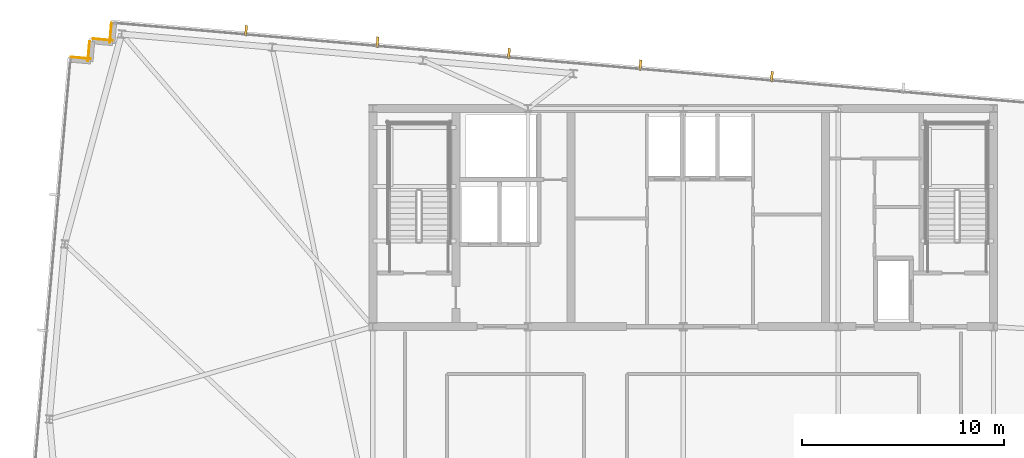
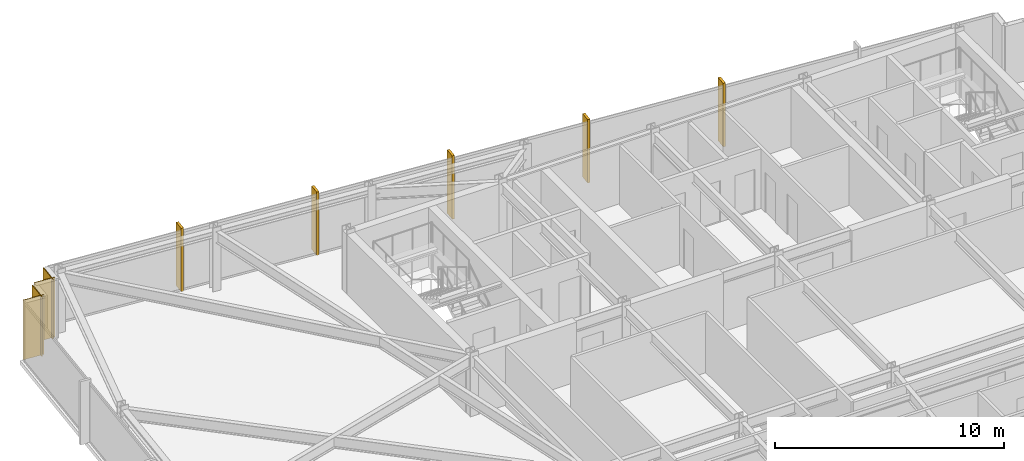
# One storey, part 32 of 32: 5 shading devices, 4 coverings.
"""IFC4 building model written with IfcOpenShell, lengths in metres."""

import ifcopenshell
import ifcopenshell.guid

model = None  # the IFC model being written
_history = None  # IfcOwnerHistory: only IFC2X3 demands one
_inside = {}  # id of a spatial element -> (the spatial element, [elements in it])
_under = {}  # id of a project, library or spatial element -> (it, [spatial elements below it])
_declared = {}  # id of a project -> (the project, [libraries it declares])
_typed = {}  # id of a type object -> (the type object, [elements of that type])
_made_of = {}  # id of a material, layer set ... -> (it, [elements and type objects made of it])


def new_model(schema):
    """Start an empty IFC model of exactly this schema.

    Asked for "IFC4X3", IfcOpenShell would pick the latest addendum, in which some entities
    have other attributes; the version numbers below select the first issue.
    IFC2X3 requires an IfcOwnerHistory on every rooted entity: one is made here for all.
    """
    global model, _history
    if schema == "IFC4X3":
        model = ifcopenshell.file(schema_version=(4, 3, 0, 0))
    else:
        model = ifcopenshell.file(schema=schema)
    _inside.clear()
    _under.clear()
    _declared.clear()
    _typed.clear()
    _made_of.clear()
    _history = None
    if model.schema == "IFC2X3":
        org = make("IfcOrganization", Name="unknown")
        user = make(
            "IfcPersonAndOrganization",
            ThePerson=make("IfcPerson", FamilyName="unknown"),
            TheOrganization=org,
        )
        app = make(
            "IfcApplication",
            ApplicationDeveloper=org,
            Version="unknown",
            ApplicationFullName="unknown",
            ApplicationIdentifier="unknown",
        )
        _history = make(
            "IfcOwnerHistory",
            OwningUser=user,
            OwningApplication=app,
            ChangeAction="ADDED",
            CreationDate=0,
        )
    return model


def make(cls, **values):
    """One entity of the class cls with the attributes given. An attribute that is None is left unset."""
    return model.create_entity(
        cls, **{name: value for name, value in values.items() if value is not None}
    )


def rooted(cls, **values):
    """An entity with a GlobalId (a new one), such as an element, a storey or a relation."""
    return make(cls, GlobalId=ifcopenshell.guid.new(), OwnerHistory=_history, **values)


def si_unit(unit_type, name, prefix=None):
    """IfcSIUnit, for example si_unit("LENGTHUNIT", "METRE", prefix="MILLI")."""
    return make("IfcSIUnit", UnitType=unit_type, Prefix=prefix, Name=name)


def assignment(units):
    """IfcUnitAssignment: the units of a project."""
    return None if units is None else make("IfcUnitAssignment", Units=units)


def point(xyz):
    """IfcCartesianPoint."""
    return None if xyz is None else make("IfcCartesianPoint", Coordinates=xyz)


def direction(xyz):
    """IfcDirection."""
    return None if xyz is None else make("IfcDirection", DirectionRatios=xyz)


def frame(location, z_axis=None, x_axis=None):
    """IfcAxis2Placement3D, a coordinate frame: its origin and axes. An axis left out is left unset."""
    return make(
        "IfcAxis2Placement3D",
        Location=point(location),
        Axis=direction(z_axis),
        RefDirection=direction(x_axis),
    )


def frame_2d(location, x_axis=None):
    """IfcAxis2Placement2D, a coordinate frame in the plane: its origin and x axis."""
    return make(
        "IfcAxis2Placement2D", Location=point(location), RefDirection=direction(x_axis)
    )


def origin():
    """The frame at (0, 0, 0) with its axes left unset."""
    return frame((0.0, 0.0, 0.0))


def origin_2d():
    """The frame at (0, 0) in the plane with its x axis left unset."""
    return frame_2d((0.0, 0.0))


def place(relative_to, where):
    """IfcLocalPlacement: puts the frame where relative to a parent placement (None: the world)."""
    return make(
        "IfcLocalPlacement", PlacementRelTo=relative_to, RelativePlacement=where
    )


def context(
    kind, dimensions, precision=None, world=None, true_north=None, identifier=None
):
    """IfcGeometricRepresentationContext, for example the 3D "Model" context."""
    return make(
        "IfcGeometricRepresentationContext",
        ContextIdentifier=identifier,
        ContextType=kind,
        CoordinateSpaceDimension=dimensions,
        Precision=precision,
        WorldCoordinateSystem=world,
        TrueNorth=true_north,
    )


def subcontext(parent, identifier, kind, view, scale=None):
    """IfcGeometricRepresentationSubContext, for example "Body" below "Model"."""
    return make(
        "IfcGeometricRepresentationSubContext",
        ContextIdentifier=identifier,
        ContextType=kind,
        ParentContext=parent,
        TargetScale=scale,
        TargetView=view,
    )


def project(units=None, contexts=None):
    """IfcProject with its units and contexts."""
    return rooted(
        "IfcProject",
        Name="project",
        RepresentationContexts=contexts,
        UnitsInContext=assignment(units),
    )


def spatial(cls, under=None, at=None, **own):
    """A site, building, storey or space (cls), placed at a placement, below another one or the project."""
    s = rooted(cls, ObjectPlacement=at, **own)
    if under is not None:
        _under.setdefault(under.id(), (under, []))[1].append(s)
    return s


def profile(cls, at=None, kind="AREA", **sizes):
    """A parametric profile (cls). Its sizes go by their IFC names, for example OverallWidth=200.0."""
    return make(cls, ProfileType=kind, Position=at, **sizes)


def rectangle(**sizes):
    """IfcRectangleProfileDef."""
    return profile("IfcRectangleProfileDef", **sizes)


def extrude(swept, where, along, depth):
    """IfcExtrudedAreaSolid: the profile swept, set in the frame where, extruded along a direction by depth."""
    return make(
        "IfcExtrudedAreaSolid",
        SweptArea=swept,
        Position=where,
        ExtrudedDirection=direction(along),
        Depth=depth,
    )


def shape(context_of_items, identifier, shape_type, items):
    """IfcShapeRepresentation: the items that make up one representation, for example the "Body"."""
    return make(
        "IfcShapeRepresentation",
        ContextOfItems=context_of_items,
        RepresentationIdentifier=identifier,
        RepresentationType=shape_type,
        Items=items,
    )


def material(Name=None, Category=None):
    """IfcMaterial."""
    return make("IfcMaterial", Name=Name, Category=Category)


def layer(
    of_material, thickness, ventilated=None, Name=None, Category=None, Priority=None
):
    """IfcMaterialLayer: one layer of a wall or slab, of a material (None: an air gap)."""
    return make(
        "IfcMaterialLayer",
        Material=of_material,
        LayerThickness=thickness,
        IsVentilated=ventilated,
        Name=Name,
        Category=Category,
        Priority=Priority,
    )


def layer_set(layers, Name=None):
    """IfcMaterialLayerSet."""
    return make("IfcMaterialLayerSet", MaterialLayers=layers, LayerSetName=Name)


def made_of(thing, what):
    """Note that an element or type object is made of a material, layer set ...; save() writes the relation."""
    if what is not None:
        _made_of.setdefault(what.id(), (what, []))[1].append(thing)
    return thing


def type_object(cls, material=None, **own):
    """A type object (cls), such as IfcWallType, which elements share."""
    return made_of(rooted(cls, **own), material)


def element(
    cls,
    number,
    at=None,
    inside=None,
    cuts=None,
    type_object=None,
    material=None,
    context=None,
    identifier="Body",
    shape_type=None,
    held_by="IfcProductDefinitionShape",
    body=None,
    shapes=None,
    **own,
):
    """One element of the class cls, such as IfcWall. Its Tag is "e" and its number.

    at: its placement. inside: the storey or other place that contains it. cuts: it is an
    opening in that element (IfcRelVoidsElement). A single representation is given by context,
    identifier, shape_type and body (its items); several are given by shapes. held_by: the class
    of the entity that holds the representations. save() writes the other relations.
    """
    e = rooted(cls, Tag="e%d" % number, ObjectPlacement=at, **own)
    if body is not None:
        shapes = [shape(context, identifier, shape_type, body)]
    if shapes is not None:
        e.Representation = make(held_by, Representations=shapes)
    if inside is not None:
        _inside.setdefault(inside.id(), (inside, []))[1].append(e)
    if cuts is not None:
        rooted(
            "IfcRelVoidsElement", RelatingBuildingElement=cuts, RelatedOpeningElement=e
        )
    if type_object is not None:
        _typed.setdefault(type_object.id(), (type_object, []))[1].append(e)
    return made_of(e, material)


def aggregate(whole, parts):
    """IfcRelAggregates: a whole, such as a stair, and the parts it consists of."""
    return rooted("IfcRelAggregates", RelatingObject=whole, RelatedObjects=parts)


def save(model, path):
    """Write the relations noted so far, then the file.

    IfcRelAggregates (storeys below a building ...), IfcRelContainedInSpatialStructure (elements
    in a storey), IfcRelDefinesByType, IfcRelAssociatesMaterial and IfcRelDeclares: one each for
    every whole, place, type object, material and project.
    """
    for whole, parts in _under.values():
        aggregate(whole, parts)
    for where, things in _inside.values():
        rooted(
            "IfcRelContainedInSpatialStructure",
            RelatedElements=things,
            RelatingStructure=where,
        )
    for kind, things in _typed.values():
        rooted("IfcRelDefinesByType", RelatedObjects=things, RelatingType=kind)
    for what, things in _made_of.values():
        rooted("IfcRelAssociatesMaterial", RelatedObjects=things, RelatingMaterial=what)
    for by, libraries in _declared.values():
        rooted("IfcRelDeclares", RelatingContext=by, RelatedDefinitions=libraries)
    model.write(path)


model = new_model("IFC4")

# Units and contexts
model_context = context("Model", 3, precision=1e-05, world=origin(), true_north=direction((0.0, 1.0)))
body_context = subcontext(model_context, "Body", "Model", "MODEL_VIEW")
ifc_project = project(units=[si_unit("LENGTHUNIT", "METRE"), si_unit("AREAUNIT", "SQUARE_METRE"), si_unit("VOLUMEUNIT", "CUBIC_METRE"), si_unit("PLANEANGLEUNIT", "RADIAN"), si_unit("MASSUNIT", "GRAM", prefix="KILO")], contexts=[model_context])

# Site, building, storey
site_placement = place(None, origin())
site = spatial("IfcSite", under=ifc_project, at=site_placement, CompositionType="ELEMENT")
building_placement = place(site_placement, origin())
building = spatial("IfcBuilding", under=site, at=building_placement, Name="Yelkora Congress Tower", CompositionType="ELEMENT")
storey_placement = place(building_placement, frame((0.0, 0.0, 279.5)))
storey = spatial("IfcBuildingStorey", under=building, at=storey_placement, Name="L78", CompositionType="ELEMENT", Elevation=279.5)

# Coverings
ifc_material_1 = material(Name="Anatolian bush-hammered limestone", Category="masonry")
ifc_layer_1 = layer(ifc_material_1, 0.0400390625)
ifc_layer_set_1 = layer_set([ifc_layer_1], Name="Anatolian bush-hammered limestone")
covering_type = type_object("IfcCoveringType", Name="COV-CLAD-SPANDREL-40", PredefinedType="CLADDING", material=ifc_layer_set_1)
for number, where, z_axis, x_axis, name in (
    (1, (8.0849609375, 48.744140625, 0.0), (0.0, 0.0, 1.0), (0.996195572005, -0.087145753297, 0.0), "L78 Anatolian Limestone Cladding EW-L78-SR06"),
    (2, (8.93505859375, 48.5341796875, 0.0), (0.0, 0.0, 1.0), (0.087145753297, 0.996195572005, 0.0), "L78 Anatolian Limestone Cladding EW-L78-SR07"),
):
    element("IfcCovering", number, at=place(storey_placement, frame(where, z_axis=z_axis, x_axis=x_axis)), inside=storey, type_object=covering_type, Name=name, PredefinedType="CLADDING", context=body_context, shape_type="SweptSolid", body=[
        extrude(rectangle(XDim=1.000244140625, YDim=0.0400390625, at=frame_2d((0.5, 0.0))), origin(), (0.0, 0.0, 1.0), 3.179931640625),
    ])
covering_1_placement = place(storey_placement, frame((9.16845703125, 49.6533203125, 0.0), z_axis=(0.0, 0.0, 1.0), x_axis=(0.996193717496, -0.087166950281, 0.0)))
element("IfcCovering", 3, at=covering_1_placement, inside=storey, type_object=covering_type, Name="L78 Anatolian Limestone Cladding EW-L78-SR08", PredefinedType="CLADDING", context=body_context, shape_type="SweptSolid", body=[
    extrude(rectangle(XDim=1.0, YDim=0.0400390625, at=frame_2d((0.5, 0.0))), origin(), (0.0, 0.0, 1.0), 3.179931640625),
])
covering_2_placement = place(storey_placement, frame((10.018310546875, 49.443359375, 0.0), z_axis=(0.0, 0.0, 1.0), x_axis=(0.087145753297, 0.996195572005, 0.0)))
element("IfcCovering", 4, at=covering_2_placement, inside=storey, type_object=covering_type, Name="L78 Anatolian Limestone Cladding EW-L78-SR09", PredefinedType="CLADDING", context=body_context, shape_type="SweptSolid", body=[
    extrude(rectangle(XDim=1.000244140625, YDim=0.0400390625, at=frame_2d((0.5, 0.0))), origin(), (0.0, 0.0, 1.0), 3.179931640625),
])

# Shading devices
ifc_material_2 = material(Name="Champagne anodised aluminium", Category="aluminium")
ifc_layer_2 = layer(ifc_material_2, 3.300048828125)
ifc_layer_set_2 = layer_set([ifc_layer_2], Name="Champagne anodised aluminium")
shading_device_type = type_object("IfcShadingDeviceType", Name="SHD-FIN-ALU-520", PredefinedType="USERDEFINED", material=ifc_layer_set_2)
for number, where, z_axis, x_axis, name in (
    (5, (16.763916015625, 50.057861328125, -0.030029296875), (0.0, 0.0, 1.0), (0.996194698092, -0.087155742748, 0.0), "L78 Vertical Anodised Solar Fin 10-1"),
    (6, (23.2705078125, 49.488525390625, -0.030029296875), (0.0, 0.0, 1.0), (0.996194698092, -0.087155742748, 0.0), "L78 Vertical Anodised Solar Fin 10-2"),
    (7, (29.777099609375, 48.919189453125, -0.030029296875), (0.0, 0.0, 1.0), (0.996194698092, -0.087155742748, 0.0), "L78 Vertical Anodised Solar Fin 10-3"),
    (8, (36.28369140625, 48.35009765625, -0.030029296875), (0.0, 0.0, 1.0), (0.996194698092, -0.087155742748, 0.0), "L78 Vertical Anodised Solar Fin 10-4"),
    (9, (42.790283203125, 47.78076171875, -0.030029296875), (0.0, 0.0, 1.0), (0.996194698092, -0.087155742748, 0.0), "L78 Vertical Anodised Solar Fin 10-5"),
):
    element("IfcShadingDevice", number, at=place(storey_placement, frame(where, z_axis=z_axis, x_axis=x_axis)), inside=storey, type_object=shading_device_type, Name=name, ObjectType="FIN", PredefinedType="USERDEFINED", context=body_context, shape_type="SweptSolid", body=[
        extrude(rectangle(XDim=0.1201171875, YDim=0.52001953125, at=origin_2d()), origin(), (0.0, 0.0, 1.0), 3.3798828125),
    ])

save(model, "model.ifc")
